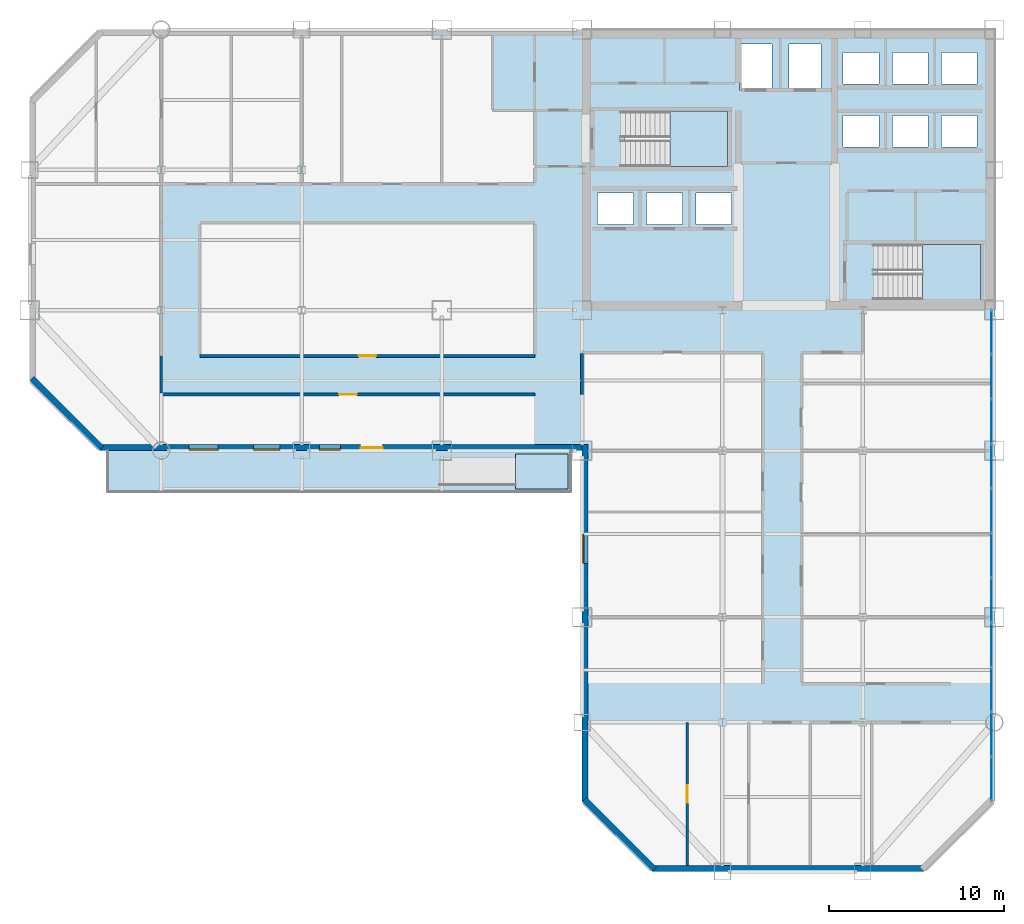
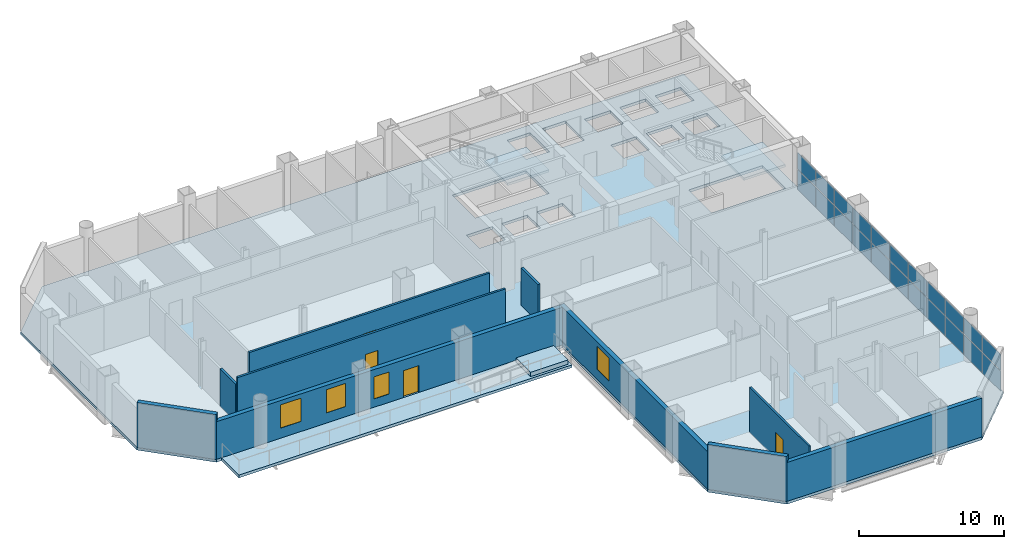
# One storey, part 11 of 16: 22 plates, 10 walls, 5 slabs, 4 doors, 4 windows, 8 openings, 4 elements without a shape of their own.
"""IFC4 building model written with IfcOpenShell, lengths in metres."""

import ifcopenshell
import ifcopenshell.guid

model = None  # the IFC model being written
_history = None  # IfcOwnerHistory: only IFC2X3 demands one
_inside = {}  # id of a spatial element -> (the spatial element, [elements in it])
_under = {}  # id of a project, library or spatial element -> (it, [spatial elements below it])
_declared = {}  # id of a project -> (the project, [libraries it declares])
_typed = {}  # id of a type object -> (the type object, [elements of that type])
_made_of = {}  # id of a material, layer set ... -> (it, [elements and type objects made of it])


def new_model(schema):
    """Start an empty IFC model of exactly this schema.

    Asked for "IFC4X3", IfcOpenShell would pick the latest addendum, in which some entities
    have other attributes; the version numbers below select the first issue.
    IFC2X3 requires an IfcOwnerHistory on every rooted entity: one is made here for all.
    """
    global model, _history
    if schema == "IFC4X3":
        model = ifcopenshell.file(schema_version=(4, 3, 0, 0))
    else:
        model = ifcopenshell.file(schema=schema)
    _inside.clear()
    _under.clear()
    _declared.clear()
    _typed.clear()
    _made_of.clear()
    _history = None
    if model.schema == "IFC2X3":
        org = make("IfcOrganization", Name="unknown")
        user = make(
            "IfcPersonAndOrganization",
            ThePerson=make("IfcPerson", FamilyName="unknown"),
            TheOrganization=org,
        )
        app = make(
            "IfcApplication",
            ApplicationDeveloper=org,
            Version="unknown",
            ApplicationFullName="unknown",
            ApplicationIdentifier="unknown",
        )
        _history = make(
            "IfcOwnerHistory",
            OwningUser=user,
            OwningApplication=app,
            ChangeAction="ADDED",
            CreationDate=0,
        )
    return model


def make(cls, **values):
    """One entity of the class cls with the attributes given. An attribute that is None is left unset."""
    return model.create_entity(
        cls, **{name: value for name, value in values.items() if value is not None}
    )


def rooted(cls, **values):
    """An entity with a GlobalId (a new one), such as an element, a storey or a relation."""
    return make(cls, GlobalId=ifcopenshell.guid.new(), OwnerHistory=_history, **values)


def si_unit(unit_type, name, prefix=None):
    """IfcSIUnit, for example si_unit("LENGTHUNIT", "METRE", prefix="MILLI")."""
    return make("IfcSIUnit", UnitType=unit_type, Prefix=prefix, Name=name)


def assignment(units):
    """IfcUnitAssignment: the units of a project."""
    return None if units is None else make("IfcUnitAssignment", Units=units)


def point(xyz):
    """IfcCartesianPoint."""
    return None if xyz is None else make("IfcCartesianPoint", Coordinates=xyz)


def direction(xyz):
    """IfcDirection."""
    return None if xyz is None else make("IfcDirection", DirectionRatios=xyz)


def frame(location, z_axis=None, x_axis=None):
    """IfcAxis2Placement3D, a coordinate frame: its origin and axes. An axis left out is left unset."""
    return make(
        "IfcAxis2Placement3D",
        Location=point(location),
        Axis=direction(z_axis),
        RefDirection=direction(x_axis),
    )


def frame_2d(location, x_axis=None):
    """IfcAxis2Placement2D, a coordinate frame in the plane: its origin and x axis."""
    return make(
        "IfcAxis2Placement2D", Location=point(location), RefDirection=direction(x_axis)
    )


def origin():
    """The frame at (0, 0, 0) with its axes left unset."""
    return frame((0.0, 0.0, 0.0))


def origin_2d():
    """The frame at (0, 0) in the plane with its x axis left unset."""
    return frame_2d((0.0, 0.0))


def place(relative_to, where):
    """IfcLocalPlacement: puts the frame where relative to a parent placement (None: the world)."""
    return make(
        "IfcLocalPlacement", PlacementRelTo=relative_to, RelativePlacement=where
    )


def context(
    kind, dimensions, precision=None, world=None, true_north=None, identifier=None
):
    """IfcGeometricRepresentationContext, for example the 3D "Model" context."""
    return make(
        "IfcGeometricRepresentationContext",
        ContextIdentifier=identifier,
        ContextType=kind,
        CoordinateSpaceDimension=dimensions,
        Precision=precision,
        WorldCoordinateSystem=world,
        TrueNorth=true_north,
    )


def subcontext(parent, identifier, kind, view, scale=None):
    """IfcGeometricRepresentationSubContext, for example "Body" below "Model"."""
    return make(
        "IfcGeometricRepresentationSubContext",
        ContextIdentifier=identifier,
        ContextType=kind,
        ParentContext=parent,
        TargetScale=scale,
        TargetView=view,
    )


def project(units=None, contexts=None):
    """IfcProject with its units and contexts."""
    return rooted(
        "IfcProject",
        Name="project",
        RepresentationContexts=contexts,
        UnitsInContext=assignment(units),
    )


def spatial(cls, under=None, at=None, **own):
    """A site, building, storey or space (cls), placed at a placement, below another one or the project."""
    s = rooted(cls, ObjectPlacement=at, **own)
    if under is not None:
        _under.setdefault(under.id(), (under, []))[1].append(s)
    return s


def polyline(points):
    """IfcPolyline through the points."""
    return make("IfcPolyline", Points=[point(p) for p in points])


def profile(cls, at=None, kind="AREA", **sizes):
    """A parametric profile (cls). Its sizes go by their IFC names, for example OverallWidth=200.0."""
    return make(cls, ProfileType=kind, Position=at, **sizes)


def rectangle(**sizes):
    """IfcRectangleProfileDef."""
    return profile("IfcRectangleProfileDef", **sizes)


def outline(outer, holes=None, kind="AREA"):
    """IfcArbitraryClosedProfileDef: a profile drawn as a closed curve; with holes, ...WithVoids."""
    if holes is None:
        return make("IfcArbitraryClosedProfileDef", ProfileType=kind, OuterCurve=outer)
    return make(
        "IfcArbitraryProfileDefWithVoids",
        ProfileType=kind,
        OuterCurve=outer,
        InnerCurves=holes,
    )


def extrude(swept, where, along, depth):
    """IfcExtrudedAreaSolid: the profile swept, set in the frame where, extruded along a direction by depth."""
    return make(
        "IfcExtrudedAreaSolid",
        SweptArea=swept,
        Position=where,
        ExtrudedDirection=direction(along),
        Depth=depth,
    )


def shape(context_of_items, identifier, shape_type, items):
    """IfcShapeRepresentation: the items that make up one representation, for example the "Body"."""
    return make(
        "IfcShapeRepresentation",
        ContextOfItems=context_of_items,
        RepresentationIdentifier=identifier,
        RepresentationType=shape_type,
        Items=items,
    )


def material(Name=None, Category=None):
    """IfcMaterial."""
    return make("IfcMaterial", Name=Name, Category=Category)


def layer(
    of_material, thickness, ventilated=None, Name=None, Category=None, Priority=None
):
    """IfcMaterialLayer: one layer of a wall or slab, of a material (None: an air gap)."""
    return make(
        "IfcMaterialLayer",
        Material=of_material,
        LayerThickness=thickness,
        IsVentilated=ventilated,
        Name=Name,
        Category=Category,
        Priority=Priority,
    )


def layer_set(layers, Name=None):
    """IfcMaterialLayerSet."""
    return make("IfcMaterialLayerSet", MaterialLayers=layers, LayerSetName=Name)


def made_of(thing, what):
    """Note that an element or type object is made of a material, layer set ...; save() writes the relation."""
    if what is not None:
        _made_of.setdefault(what.id(), (what, []))[1].append(thing)
    return thing


def type_object(cls, material=None, **own):
    """A type object (cls), such as IfcWallType, which elements share."""
    return made_of(rooted(cls, **own), material)


def element(
    cls,
    number,
    at=None,
    inside=None,
    cuts=None,
    type_object=None,
    material=None,
    context=None,
    identifier="Body",
    shape_type=None,
    held_by="IfcProductDefinitionShape",
    body=None,
    shapes=None,
    **own,
):
    """One element of the class cls, such as IfcWall. Its Tag is "e" and its number.

    at: its placement. inside: the storey or other place that contains it. cuts: it is an
    opening in that element (IfcRelVoidsElement). A single representation is given by context,
    identifier, shape_type and body (its items); several are given by shapes. held_by: the class
    of the entity that holds the representations. save() writes the other relations.
    """
    e = rooted(cls, Tag="e%d" % number, ObjectPlacement=at, **own)
    if body is not None:
        shapes = [shape(context, identifier, shape_type, body)]
    if shapes is not None:
        e.Representation = make(held_by, Representations=shapes)
    if inside is not None:
        _inside.setdefault(inside.id(), (inside, []))[1].append(e)
    if cuts is not None:
        rooted(
            "IfcRelVoidsElement", RelatingBuildingElement=cuts, RelatedOpeningElement=e
        )
    if type_object is not None:
        _typed.setdefault(type_object.id(), (type_object, []))[1].append(e)
    return made_of(e, material)


def fill(opening, filler):
    """IfcRelFillsElement: the door or window that sits in an opening."""
    return rooted(
        "IfcRelFillsElement",
        RelatingOpeningElement=opening,
        RelatedBuildingElement=filler,
    )


def aggregate(whole, parts):
    """IfcRelAggregates: a whole, such as a stair, and the parts it consists of."""
    return rooted("IfcRelAggregates", RelatingObject=whole, RelatedObjects=parts)


def save(model, path):
    """Write the relations noted so far, then the file.

    IfcRelAggregates (storeys below a building ...), IfcRelContainedInSpatialStructure (elements
    in a storey), IfcRelDefinesByType, IfcRelAssociatesMaterial and IfcRelDeclares: one each for
    every whole, place, type object, material and project.
    """
    for whole, parts in _under.values():
        aggregate(whole, parts)
    for where, things in _inside.values():
        rooted(
            "IfcRelContainedInSpatialStructure",
            RelatedElements=things,
            RelatingStructure=where,
        )
    for kind, things in _typed.values():
        rooted("IfcRelDefinesByType", RelatedObjects=things, RelatingType=kind)
    for what, things in _made_of.values():
        rooted("IfcRelAssociatesMaterial", RelatedObjects=things, RelatingMaterial=what)
    for by, libraries in _declared.values():
        rooted("IfcRelDeclares", RelatingContext=by, RelatedDefinitions=libraries)
    model.write(path)


model = new_model("IFC4")

# Units and contexts
model_context = context("Model", 3, precision=1e-05, world=origin(), true_north=direction((0.0, 1.0)))
body_context = subcontext(model_context, "Body", "Model", "MODEL_VIEW")
ifc_project = project(units=[si_unit("LENGTHUNIT", "METRE"), si_unit("AREAUNIT", "SQUARE_METRE"), si_unit("VOLUMEUNIT", "CUBIC_METRE"), si_unit("PLANEANGLEUNIT", "RADIAN"), si_unit("MASSUNIT", "GRAM", prefix="KILO")], contexts=[model_context])

# Site, building, storey
site_placement = place(None, origin())
site = spatial("IfcSite", under=ifc_project, at=site_placement, CompositionType="ELEMENT")
building_placement = place(site_placement, origin())
building = spatial("IfcBuilding", under=site, at=building_placement, Name="Qianrong Seaharbour Tower", CompositionType="ELEMENT")
storey_placement = place(building_placement, frame((0.0, 0.0, 119.0)))
storey = spatial("IfcBuildingStorey", under=building, at=storey_placement, Name="L28", CompositionType="ELEMENT", Elevation=119.0)

# Curtain wall, plates
ifc_material_1 = material(Name="Anodised aluminium 6063-T6 and laminated low-e glass", Category="aluminium")
ifc_layer_1 = layer(ifc_material_1, 0.195068359375)
ifc_layer_set_1 = layer_set([ifc_layer_1], Name="Anodised aluminium 6063-T6 and laminated low-e glass")
curtain_wall_type = type_object("IfcCurtainWallType", Name="CW-SYS-3", PredefinedType="NOTDEFINED", material=ifc_layer_set_1)
curtain_wall_placement = place(storey_placement, origin())
curtain_wall = element("IfcCurtainWall", 1, at=curtain_wall_placement, inside=storey, type_object=curtain_wall_type, Name="L28 Sky-Garden Wintergarden Curtain Wall EAST_WING", PredefinedType="NOTDEFINED")
ifc_material_2 = material(Name="Laminated solar-control low-e glass", Category="glass")
ifc_layer_2 = layer(ifc_material_2, 0.031982421875)
ifc_layer_set_2 = layer_set([ifc_layer_2], Name="Laminated solar-control low-e glass")
plate_type = type_object("IfcPlateType", Name="CW-PAN-VISION-32", PredefinedType="CURTAIN_PANEL", material=ifc_layer_set_2)
plate_1_placement = place(storey_placement, frame((63.830078125, 34.757568359375, 0.06494140625), z_axis=(0.0, 0.0, 1.0), x_axis=(0.0, -1.0, 0.0)))
plate_1 = element("IfcPlate", 2, at=plate_1_placement, type_object=plate_type, Name="CW-3 panel 1.1", PredefinedType="CURTAIN_PANEL", context=body_context, shape_type="SweptSolid", body=[
    extrude(rectangle(XDim=2.445068359375, YDim=0.031982421875, at=origin_2d()), origin(), (0.0, 0.0, 1.0), 1.67626953125),
])
plate_2_placement = place(storey_placement, frame((63.830078125, 34.757568359375, 1.80615234375), z_axis=(0.0, 0.0, 1.0), x_axis=(0.0, -1.0, 0.0)))
plate_2 = element("IfcPlate", 3, at=plate_2_placement, type_object=plate_type, Name="CW-3 panel 1.2", PredefinedType="CURTAIN_PANEL", context=body_context, shape_type="SweptSolid", body=[
    extrude(rectangle(XDim=2.445068359375, YDim=0.031982421875, at=origin_2d()), origin(), (0.0, 0.0, 1.0), 1.353759765625),
])
plate_3_placement = place(storey_placement, frame((63.830078125, 32.22509765625, 0.06494140625), z_axis=(0.0, 0.0, 1.0), x_axis=(0.0, -1.0, 0.0)))
plate_3 = element("IfcPlate", 4, at=plate_3_placement, type_object=plate_type, Name="CW-3 panel 2.1", PredefinedType="CURTAIN_PANEL", context=body_context, shape_type="SweptSolid", body=[
    extrude(rectangle(XDim=2.47998046875, YDim=0.031982421875, at=origin_2d()), origin(), (0.0, 0.0, 1.0), 1.67626953125),
])
plate_4_placement = place(storey_placement, frame((63.830078125, 32.22509765625, 1.80615234375), z_axis=(0.0, 0.0, 1.0), x_axis=(0.0, -1.0, 0.0)))
plate_4 = element("IfcPlate", 5, at=plate_4_placement, type_object=plate_type, Name="CW-3 panel 2.2", PredefinedType="CURTAIN_PANEL", context=body_context, shape_type="SweptSolid", body=[
    extrude(rectangle(XDim=2.47998046875, YDim=0.031982421875, at=origin_2d()), origin(), (0.0, 0.0, 1.0), 1.353759765625),
])
plate_5_placement = place(storey_placement, frame((63.830078125, 29.675048828125, 0.06494140625), z_axis=(0.0, 0.0, 1.0), x_axis=(0.0, -1.0, 0.0)))
plate_5 = element("IfcPlate", 6, at=plate_5_placement, type_object=plate_type, Name="CW-3 panel 3.1", PredefinedType="CURTAIN_PANEL", context=body_context, shape_type="SweptSolid", body=[
    extrude(rectangle(XDim=2.47998046875, YDim=0.031982421875, at=origin_2d()), origin(), (0.0, 0.0, 1.0), 1.67626953125),
])
plate_6_placement = place(storey_placement, frame((63.830078125, 29.675048828125, 1.80615234375), z_axis=(0.0, 0.0, 1.0), x_axis=(0.0, -1.0, 0.0)))
plate_6 = element("IfcPlate", 7, at=plate_6_placement, type_object=plate_type, Name="CW-3 panel 3.2", PredefinedType="CURTAIN_PANEL", context=body_context, shape_type="SweptSolid", body=[
    extrude(rectangle(XDim=2.47998046875, YDim=0.031982421875, at=origin_2d()), origin(), (0.0, 0.0, 1.0), 1.353759765625),
])
plate_7_placement = place(storey_placement, frame((63.830078125, 27.125, 0.06494140625), z_axis=(0.0, 0.0, 1.0), x_axis=(0.0, -1.0, 0.0)))
plate_7 = element("IfcPlate", 8, at=plate_7_placement, type_object=plate_type, Name="CW-3 panel 4.1", PredefinedType="CURTAIN_PANEL", context=body_context, shape_type="SweptSolid", body=[
    extrude(rectangle(XDim=2.47998046875, YDim=0.031982421875, at=origin_2d()), origin(), (0.0, 0.0, 1.0), 1.67626953125),
])
plate_8_placement = place(storey_placement, frame((63.830078125, 27.125, 1.80615234375), z_axis=(0.0, 0.0, 1.0), x_axis=(0.0, -1.0, 0.0)))
plate_8 = element("IfcPlate", 9, at=plate_8_placement, type_object=plate_type, Name="CW-3 panel 4.2", PredefinedType="CURTAIN_PANEL", context=body_context, shape_type="SweptSolid", body=[
    extrude(rectangle(XDim=2.47998046875, YDim=0.031982421875, at=origin_2d()), origin(), (0.0, 0.0, 1.0), 1.353759765625),
])
plate_9_placement = place(storey_placement, frame((63.830078125, 24.574951171875, 0.06494140625), z_axis=(0.0, 0.0, 1.0), x_axis=(0.0, -1.0, 0.0)))
plate_9 = element("IfcPlate", 10, at=plate_9_placement, type_object=plate_type, Name="CW-3 panel 5.1", PredefinedType="CURTAIN_PANEL", context=body_context, shape_type="SweptSolid", body=[
    extrude(rectangle(XDim=2.47998046875, YDim=0.031982421875, at=origin_2d()), origin(), (0.0, 0.0, 1.0), 1.67626953125),
])
plate_10_placement = place(storey_placement, frame((63.830078125, 24.574951171875, 1.80615234375), z_axis=(0.0, 0.0, 1.0), x_axis=(0.0, -1.0, 0.0)))
plate_10 = element("IfcPlate", 11, at=plate_10_placement, type_object=plate_type, Name="CW-3 panel 5.2", PredefinedType="CURTAIN_PANEL", context=body_context, shape_type="SweptSolid", body=[
    extrude(rectangle(XDim=2.47998046875, YDim=0.031982421875, at=origin_2d()), origin(), (0.0, 0.0, 1.0), 1.353759765625),
])
plate_11_placement = place(storey_placement, frame((63.830078125, 22.02490234375, 0.06494140625), z_axis=(0.0, 0.0, 1.0), x_axis=(0.0, -1.0, 0.0)))
plate_11 = element("IfcPlate", 12, at=plate_11_placement, type_object=plate_type, Name="CW-3 panel 6.1", PredefinedType="CURTAIN_PANEL", context=body_context, shape_type="SweptSolid", body=[
    extrude(rectangle(XDim=2.47998046875, YDim=0.031982421875, at=origin_2d()), origin(), (0.0, 0.0, 1.0), 1.67626953125),
])
plate_12_placement = place(storey_placement, frame((63.830078125, 22.02490234375, 1.80615234375), z_axis=(0.0, 0.0, 1.0), x_axis=(0.0, -1.0, 0.0)))
plate_12 = element("IfcPlate", 13, at=plate_12_placement, type_object=plate_type, Name="CW-3 panel 6.2", PredefinedType="CURTAIN_PANEL", context=body_context, shape_type="SweptSolid", body=[
    extrude(rectangle(XDim=2.47998046875, YDim=0.031982421875, at=origin_2d()), origin(), (0.0, 0.0, 1.0), 1.353759765625),
])
plate_13_placement = place(storey_placement, frame((63.830078125, 19.47509765625, 0.06494140625), z_axis=(0.0, 0.0, 1.0), x_axis=(0.0, -1.0, 0.0)))
plate_13 = element("IfcPlate", 14, at=plate_13_placement, type_object=plate_type, Name="CW-3 panel 7.1", PredefinedType="CURTAIN_PANEL", context=body_context, shape_type="SweptSolid", body=[
    extrude(rectangle(XDim=2.47998046875, YDim=0.031982421875, at=origin_2d()), origin(), (0.0, 0.0, 1.0), 1.67626953125),
])
plate_14_placement = place(storey_placement, frame((63.830078125, 19.47509765625, 1.80615234375), z_axis=(0.0, 0.0, 1.0), x_axis=(0.0, -1.0, 0.0)))
plate_14 = element("IfcPlate", 15, at=plate_14_placement, type_object=plate_type, Name="CW-3 panel 7.2", PredefinedType="CURTAIN_PANEL", context=body_context, shape_type="SweptSolid", body=[
    extrude(rectangle(XDim=2.47998046875, YDim=0.031982421875, at=origin_2d()), origin(), (0.0, 0.0, 1.0), 1.353759765625),
])
plate_15_placement = place(storey_placement, frame((63.830078125, 16.925048828125, 0.06494140625), z_axis=(0.0, 0.0, 1.0), x_axis=(0.0, -1.0, 0.0)))
plate_15 = element("IfcPlate", 16, at=plate_15_placement, type_object=plate_type, Name="CW-3 panel 8.1", PredefinedType="CURTAIN_PANEL", context=body_context, shape_type="SweptSolid", body=[
    extrude(rectangle(XDim=2.47998046875, YDim=0.031982421875, at=origin_2d()), origin(), (0.0, 0.0, 1.0), 1.67626953125),
])
plate_16_placement = place(storey_placement, frame((63.830078125, 16.925048828125, 1.80615234375), z_axis=(0.0, 0.0, 1.0), x_axis=(0.0, -1.0, 0.0)))
plate_16 = element("IfcPlate", 17, at=plate_16_placement, type_object=plate_type, Name="CW-3 panel 8.2", PredefinedType="CURTAIN_PANEL", context=body_context, shape_type="SweptSolid", body=[
    extrude(rectangle(XDim=2.47998046875, YDim=0.031982421875, at=origin_2d()), origin(), (0.0, 0.0, 1.0), 1.353759765625),
])
plate_17_placement = place(storey_placement, frame((63.830078125, 14.375, 0.06494140625), z_axis=(0.0, 0.0, 1.0), x_axis=(0.0, -1.0, 0.0)))
plate_17 = element("IfcPlate", 18, at=plate_17_placement, type_object=plate_type, Name="CW-3 panel 9.1", PredefinedType="CURTAIN_PANEL", context=body_context, shape_type="SweptSolid", body=[
    extrude(rectangle(XDim=2.47998046875, YDim=0.031982421875, at=origin_2d()), origin(), (0.0, 0.0, 1.0), 1.67626953125),
])
plate_18_placement = place(storey_placement, frame((63.830078125, 14.375, 1.80615234375), z_axis=(0.0, 0.0, 1.0), x_axis=(0.0, -1.0, 0.0)))
plate_18 = element("IfcPlate", 19, at=plate_18_placement, type_object=plate_type, Name="CW-3 panel 9.2", PredefinedType="CURTAIN_PANEL", context=body_context, shape_type="SweptSolid", body=[
    extrude(rectangle(XDim=2.47998046875, YDim=0.031982421875, at=origin_2d()), origin(), (0.0, 0.0, 1.0), 1.353759765625),
])
plate_19_placement = place(storey_placement, frame((63.830078125, 11.824951171875, 0.06494140625), z_axis=(0.0, 0.0, 1.0), x_axis=(0.0, -1.0, 0.0)))
plate_19 = element("IfcPlate", 20, at=plate_19_placement, type_object=plate_type, Name="CW-3 panel 10.1", PredefinedType="CURTAIN_PANEL", context=body_context, shape_type="SweptSolid", body=[
    extrude(rectangle(XDim=2.47998046875, YDim=0.031982421875, at=origin_2d()), origin(), (0.0, 0.0, 1.0), 1.67626953125),
])
plate_20_placement = place(storey_placement, frame((63.830078125, 11.824951171875, 1.80615234375), z_axis=(0.0, 0.0, 1.0), x_axis=(0.0, -1.0, 0.0)))
plate_20 = element("IfcPlate", 21, at=plate_20_placement, type_object=plate_type, Name="CW-3 panel 10.2", PredefinedType="CURTAIN_PANEL", context=body_context, shape_type="SweptSolid", body=[
    extrude(rectangle(XDim=2.47998046875, YDim=0.031982421875, at=origin_2d()), origin(), (0.0, 0.0, 1.0), 1.353759765625),
])
plate_21_placement = place(storey_placement, frame((63.830078125, 9.29248046875, 0.06494140625), z_axis=(0.0, 0.0, 1.0), x_axis=(0.0, -1.0, 0.0)))
plate_21 = element("IfcPlate", 22, at=plate_21_placement, type_object=plate_type, Name="CW-3 panel 11.1", PredefinedType="CURTAIN_PANEL", context=body_context, shape_type="SweptSolid", body=[
    extrude(rectangle(XDim=2.445068359375, YDim=0.031982421875, at=origin_2d()), origin(), (0.0, 0.0, 1.0), 1.67626953125),
])
plate_22_placement = place(storey_placement, frame((63.830078125, 9.29248046875, 1.80615234375), z_axis=(0.0, 0.0, 1.0), x_axis=(0.0, -1.0, 0.0)))
plate_22 = element("IfcPlate", 23, at=plate_22_placement, type_object=plate_type, Name="CW-3 panel 11.2", PredefinedType="CURTAIN_PANEL", context=body_context, shape_type="SweptSolid", body=[
    extrude(rectangle(XDim=2.445068359375, YDim=0.031982421875, at=origin_2d()), origin(), (0.0, 0.0, 1.0), 1.353759765625),
])
aggregate(curtain_wall, [plate_1, plate_2, plate_3, plate_4, plate_5, plate_6, plate_7, plate_8, plate_9, plate_10, plate_11, plate_12, plate_13, plate_14, plate_15, plate_16, plate_17, plate_18, plate_19, plate_20, plate_21, plate_22])

# Ramp, slab
ifc_material_3 = material(Name="White architectural precast concrete C45/55", Category="concrete")
ramp_type = type_object("IfcRampType", Name="RAMP-RIBBON-GARDEN", PredefinedType="STRAIGHT_RUN_RAMP", material=ifc_material_3)
ramp_placement = place(storey_placement, origin())
ramp = element("IfcRamp", 24, at=ramp_placement, inside=storey, type_object=ramp_type, Name="L28 Harbourfront Garden Ribbon Ramp", PredefinedType="STRAIGHT_RUN_RAMP")
ifc_layer_3 = layer(ifc_material_3, 0.360107421875)
ifc_layer_set_3 = layer_set([ifc_layer_3], Name="White architectural precast concrete C45/55")
slab_type_1 = type_object("IfcSlabType", Name="SLAB-RAMP-LANDING-220", PredefinedType="LANDING", material=ifc_layer_set_3)
slab_1_placement = place(storey_placement, origin())
slab_1 = element("IfcSlab", 25, at=slab_1_placement, type_object=slab_type_1, Name="L28 Harbourfront Ribbon Raised Garden Landing", PredefinedType="LANDING", context=body_context, shape_type="SweptSolid", body=[
    extrude(outline(polyline([(36.699951171875, 25.800048828125), (39.699951171875, 25.800048828125), (39.699951171875, 27.800048828125), (36.699951171875, 27.800048828125), (36.699951171875, 25.800048828125)])), origin(), (0.0, 0.0, 1.0), 0.360107421875),
])
aggregate(ramp, [slab_1])

# Slab
ifc_layer_4 = layer(ifc_material_3, 0.235107421875)
ifc_layer_set_4 = layer_set([ifc_layer_4], Name="White architectural precast concrete C45/55")
slab_type_2 = type_object("IfcSlabType", Name="SLAB-RIBBON-235", PredefinedType="FLOOR", material=ifc_layer_set_4)
slab_2_placement = place(storey_placement, frame((0.0, 0.0, -0.235107421875)))
element("IfcSlab", 26, at=slab_2_placement, inside=storey, type_object=slab_type_2, Name="L28 Harbourfront White Precast Ribbon Gallery Slab", PredefinedType="FLOOR", context=body_context, shape_type="SweptSolid", body=[
    extrude(outline(polyline([(13.39990234375, 25.60009765625), (39.89990234375, 25.60009765625), (39.89990234375, 28.0), (13.39990234375, 28.0), (13.39990234375, 25.60009765625)])), origin(), (0.0, 0.0, 1.0), 0.235107421875),
])

# Stair, slab
ifc_material_4 = material(Name="Concrete C50/60", Category="concrete")
stair_type = type_object("IfcStairType", Name="STAIR-DOGLEG-1500-R22", PredefinedType="HALF_TURN_STAIR", material=ifc_material_4)
stair_1_placement = place(storey_placement, origin())
stair_1 = element("IfcStair", 27, at=stair_1_placement, inside=storey, type_object=stair_type, Name="L28 Protected Escape Stair ST-1", PredefinedType="HALF_TURN_STAIR")
ifc_layer_5 = layer(ifc_material_4, 0.199951171875)
ifc_layer_set_5 = layer_set([ifc_layer_5], Name="Concrete C50/60")
slab_type_3 = type_object("IfcSlabType", Name="SLAB-STAIR-LANDING-200", PredefinedType="LANDING", material=ifc_layer_set_5)
slab_3_placement = place(storey_placement, frame((0.0, 0.0, 1.800048828125)))
slab_3 = element("IfcSlab", 28, at=slab_3_placement, type_object=slab_type_3, Name="ST-1 landing 1", PredefinedType="LANDING", context=body_context, shape_type="SweptSolid", body=[
    extrude(outline(polyline([(45.5, 44.199951171875), (48.800048828125, 44.199951171875), (48.800048828125, 47.35009765625), (45.5, 47.35009765625), (45.5, 44.199951171875)])), origin(), (0.0, 0.0, 1.0), 0.199951171875),
])
aggregate(stair_1, [slab_3])

stair_2_placement = place(storey_placement, origin())
stair_2 = element("IfcStair", 29, at=stair_2_placement, inside=storey, type_object=stair_type, Name="L28 Protected Escape Stair ST-2", PredefinedType="HALF_TURN_STAIR")
slab_4_placement = place(storey_placement, frame((0.0, 0.0, 1.800048828125)))
slab_4 = element("IfcSlab", 30, at=slab_4_placement, type_object=slab_type_3, Name="ST-2 landing 1", PredefinedType="LANDING", context=body_context, shape_type="SweptSolid", body=[
    extrude(outline(polyline([(59.89990234375, 36.60009765625), (63.199951171875, 36.60009765625), (63.199951171875, 39.75), (59.89990234375, 39.75), (59.89990234375, 36.60009765625)])), origin(), (0.0, 0.0, 1.0), 0.199951171875),
])
aggregate(stair_2, [slab_4])

# Slab
ifc_layer_6 = layer(ifc_material_4, 0.235107421875)
ifc_layer_set_6 = layer_set([ifc_layer_6], Name="Concrete C50/60")
slab_type_4 = type_object("IfcSlabType", Name="SLAB-Z2-235", PredefinedType="FLOOR", material=ifc_layer_set_6)
slab_5_placement = place(storey_placement, frame((0.0, 0.0, -0.235107421875)))
element("IfcSlab", 31, at=slab_5_placement, inside=storey, type_object=slab_type_4, Name="L28 Structural Floor Slab", PredefinedType="FLOOR", context=body_context, shape_type="SweptSolid", body=[
    extrude(outline(polyline([(44.5, 4.0), (60.0, 4.0), (64.0, 8.0), (64.0, 52.0), (13.0, 52.0), (9.0, 48.0), (9.0, 32.0), (13.0, 28.0), (40.5, 28.0), (40.5, 8.0), (44.5, 4.0)]), holes=[polyline([(42.93994140625, 44.199951171875), (42.93994140625, 47.35009765625), (48.800048828125, 47.35009765625), (48.800048828125, 44.199951171875), (42.93994140625, 44.199951171875)]), polyline([(57.340087890625, 36.60009765625), (57.340087890625, 39.75), (63.199951171875, 39.75), (63.199951171875, 36.60009765625), (57.340087890625, 36.60009765625)]), polyline([(49.47998046875, 48.530029296875), (49.47998046875, 51.169921875), (51.320068359375, 51.169921875), (51.320068359375, 48.530029296875), (49.47998046875, 48.530029296875)]), polyline([(52.280029296875, 48.530029296875), (52.280029296875, 51.169921875), (54.1201171875, 51.169921875), (54.1201171875, 48.530029296875), (52.280029296875, 48.530029296875)]), polyline([(41.3798828125, 40.89990234375), (41.3798828125, 42.699951171875), (43.419921875, 42.699951171875), (43.419921875, 40.89990234375), (41.3798828125, 40.89990234375)]), polyline([(44.179931640625, 40.89990234375), (44.179931640625, 42.699951171875), (46.219970703125, 42.699951171875), (46.219970703125, 40.89990234375), (44.179931640625, 40.89990234375)]), polyline([(46.97998046875, 40.89990234375), (46.97998046875, 42.699951171875), (49.02001953125, 42.699951171875), (49.02001953125, 40.89990234375), (46.97998046875, 40.89990234375)]), polyline([(55.3798828125, 45.300048828125), (55.3798828125, 47.10009765625), (57.419921875, 47.10009765625), (57.419921875, 45.300048828125), (55.3798828125, 45.300048828125)]), polyline([(58.179931640625, 45.300048828125), (58.179931640625, 47.10009765625), (60.219970703125, 47.10009765625), (60.219970703125, 45.300048828125), (58.179931640625, 45.300048828125)]), polyline([(60.97998046875, 45.300048828125), (60.97998046875, 47.10009765625), (63.02001953125, 47.10009765625), (63.02001953125, 45.300048828125), (60.97998046875, 45.300048828125)]), polyline([(55.3798828125, 48.89990234375), (55.3798828125, 50.699951171875), (57.419921875, 50.699951171875), (57.419921875, 48.89990234375), (55.3798828125, 48.89990234375)]), polyline([(58.179931640625, 48.89990234375), (58.179931640625, 50.699951171875), (60.219970703125, 50.699951171875), (60.219970703125, 48.89990234375), (58.179931640625, 48.89990234375)]), polyline([(60.97998046875, 48.89990234375), (60.97998046875, 50.699951171875), (63.02001953125, 50.699951171875), (63.02001953125, 48.89990234375), (60.97998046875, 48.89990234375)])]), origin(), (0.0, 0.0, 1.0), 0.235107421875),
])

# Wall, opening, door
ifc_material_5 = material(Name="Fire-rated acoustic gypsum board partition")
ifc_layer_7 = layer(ifc_material_5, 0.1650390625)
ifc_layer_set_7 = layer_set([ifc_layer_7], Name="Fire-rated acoustic gypsum board partition")
wall_type_1 = type_object("IfcWallType", Name="WALL-CORR-PART-165", PredefinedType="PARTITIONING", material=ifc_layer_set_7)
wall_1_placement = place(storey_placement, frame((37.800048828125, 31.199951171875, 0.0), z_axis=(0.0, 0.0, 1.0), x_axis=(-1.0, 0.0, 0.0)))
wall_1 = element("IfcWall", 32, at=wall_1_placement, inside=storey, type_object=wall_type_1, Name="L28 Interior Partition Wall 015", PredefinedType="PARTITIONING", context=body_context, shape_type="SweptSolid", body=[
    extrude(rectangle(XDim=21.300048828125, YDim=0.1650390625, at=frame_2d((10.64990234375, 0.0))), origin(), (0.0, 0.0, 1.0), 3.764892578125),
])
opening_1_placement = place(wall_1_placement, frame((10.14990234375, 0.0, 0.0)))
opening_1 = element("IfcOpeningElement", 33, at=opening_1_placement, cuts=wall_1, Name="Opening DO-01", PredefinedType="OPENING", context=body_context, shape_type="SweptSolid", body=[
    extrude(rectangle(XDim=1.0, YDim=2.14990234375, at=frame_2d((0.5, 1.074951171875))), frame((0.0, 0.092529296875, 0.0), z_axis=(0.0, -1.0, 0.0), x_axis=(1.0, 0.0, 0.0)), (0.0, 0.0, 1.0), 0.18505859375),
])
ifc_material_6 = material(Name="Acoustic timber and galvanized steel fire door assembly", Category="steel")
door_type_1 = type_object("IfcDoorType", Name="DOOR-OFFICE-1000x2150", OperationType="NOTDEFINED", PredefinedType="DOOR", material=ifc_material_6)
door_1_placement = place(opening_1_placement, origin())
door_1 = element("IfcDoor", 34, at=door_1_placement, inside=storey, type_object=door_type_1, Name="L28 Open-Plan Office Door", OperationType="SINGLE_SWING_LEFT", OverallHeight=2.14990234375, OverallWidth=1.0, PredefinedType="DOOR", context=body_context, shape_type="SweptSolid", body=[
    extrude(rectangle(XDim=1.0, YDim=2.14990234375, at=frame_2d((0.5, 1.074951171875))), frame((0.0, 0.02490234375, 0.0), z_axis=(0.0, -1.0, 0.0), x_axis=(1.0, 0.0, 0.0)), (0.0, 0.0, 1.0), 0.050048828125),
])
fill(opening_1, door_1)

# Wall
wall_2_placement = place(storey_placement, frame((16.5, 31.2744140625, 0.0), z_axis=(0.0, 0.0, 1.0), x_axis=(0.0, 1.0, 0.0)))
element("IfcWall", 35, at=wall_2_placement, inside=storey, type_object=wall_type_1, Name="L28 Interior Partition Wall 016", PredefinedType="PARTITIONING", context=body_context, shape_type="SweptSolid", body=[
    extrude(rectangle(XDim=2.12548828125, YDim=0.1650390625, at=frame_2d((1.062744140625, 0.0))), origin(), (0.0, 0.0, 1.0), 3.156982421875),
])

# Wall, opening, door
wall_3_placement = place(storey_placement, frame((18.699951171875, 33.39990234375, 0.0), z_axis=(0.0, 0.0, 1.0), x_axis=(1.0, 0.0, 0.0)))
wall_3 = element("IfcWall", 36, at=wall_3_placement, inside=storey, type_object=wall_type_1, Name="L28 Interior Partition Wall 017", PredefinedType="PARTITIONING", context=body_context, shape_type="SweptSolid", body=[
    extrude(rectangle(XDim=19.10009765625, YDim=0.1650390625, at=frame_2d((9.550048828125, 0.0))), origin(), (0.0, 0.0, 1.0), 3.764892578125),
])
opening_2_placement = place(wall_3_placement, frame((9.050048828125, 0.0, 0.0)))
opening_2 = element("IfcOpeningElement", 37, at=opening_2_placement, cuts=wall_3, Name="Opening DO-01", PredefinedType="OPENING", context=body_context, shape_type="SweptSolid", body=[
    extrude(rectangle(XDim=1.0, YDim=2.14990234375, at=frame_2d((0.5, 1.074951171875))), frame((0.0, 0.092529296875, 0.0), z_axis=(0.0, -1.0, 0.0), x_axis=(1.0, 0.0, 0.0)), (0.0, 0.0, 1.0), 0.18505859375),
])
door_2_placement = place(opening_2_placement, origin())
door_2 = element("IfcDoor", 38, at=door_2_placement, inside=storey, type_object=door_type_1, Name="L28 West Wing Open-Plan Office Door", OperationType="SINGLE_SWING_RIGHT", OverallHeight=2.14990234375, OverallWidth=1.0, PredefinedType="DOOR", context=body_context, shape_type="SweptSolid", body=[
    extrude(rectangle(XDim=1.0, YDim=2.14990234375, at=frame_2d((0.5, 1.074951171875))), frame((0.0, 0.02490234375, 0.0), z_axis=(0.0, -1.0, 0.0), x_axis=(1.0, 0.0, 0.0)), (0.0, 0.0, 1.0), 0.050048828125),
])
fill(opening_2, door_2)

# Wall
wall_4_placement = place(storey_placement, frame((40.5, 33.525390625, 0.0), z_axis=(0.0, 0.0, 1.0), x_axis=(0.0, -1.0, 0.0)))
element("IfcWall", 39, at=wall_4_placement, inside=storey, type_object=wall_type_1, Name="L28 Interior Partition Wall 029", PredefinedType="PARTITIONING", context=body_context, shape_type="SweptSolid", body=[
    extrude(rectangle(XDim=2.325439453125, YDim=0.1650390625, at=frame_2d((1.16259765625, 0.0))), origin(), (0.0, 0.0, 1.0), 3.156982421875),
])

# Wall, opening, window
ifc_material_7 = material(Name="Unitised buff brick on Precast concrete C45/55", Category="masonry")
ifc_layer_8 = layer(ifc_material_7, 0.340087890625)
ifc_layer_set_8 = layer_set([ifc_layer_8], Name="Unitised buff brick on Precast concrete C45/55")
wall_type_2 = type_object("IfcWallType", Name="WALL-EXT-BRICK-BUFF-340", PredefinedType="SOLIDWALL", material=ifc_layer_set_8)
wall_5_placement = place(storey_placement, frame((40.669921875, 8.0, 0.0), z_axis=(0.0, 0.0, 1.0), x_axis=(0.0, 1.0, 0.0)))
wall_5 = element("IfcWall", 40, at=wall_5_placement, inside=storey, type_object=wall_type_2, Name="L28 Exterior Masonry Facade Wall REENTRANT_WEST", PredefinedType="SOLIDWALL", context=body_context, shape_type="SweptSolid", body=[
    extrude(rectangle(XDim=20.340087890625, YDim=0.340087890625, at=frame_2d((10.169921875, 0.0))), origin(), (0.0, 0.0, 1.0), 3.1650390625),
])
opening_3_placement = place(wall_5_placement, frame((13.574951171875, 0.0, 0.85009765625)))
opening_3 = element("IfcOpeningElement", 41, at=opening_3_placement, cuts=wall_5, Name="Opening WN-04", PredefinedType="OPENING", context=body_context, shape_type="SweptSolid", body=[
    extrude(rectangle(XDim=1.64990234375, YDim=1.949951171875, at=frame_2d((0.824951171875, 0.97509765625))), frame((0.0, 0.18017578125, 0.0), z_axis=(0.0, -1.0, 0.0), x_axis=(1.0, 0.0, 0.0)), (0.0, 0.0, 1.0), 0.360107421875),
])
ifc_material_8 = material(Name="Insulated low-e double glazing in thermally broken aluminium 6063-T6 frame", Category="aluminium")
window_type_1 = type_object("IfcWindowType", Name="WIN-PUNCH-1650x1950", PartitioningType="DOUBLE_PANEL_VERTICAL", PredefinedType="WINDOW", material=ifc_material_8)
window_1_placement = place(opening_3_placement, origin())
window_1 = element("IfcWindow", 42, at=window_1_placement, inside=storey, type_object=window_type_1, Name="L28 Deep-Set Punched Window 00.04", OverallHeight=1.949951171875, OverallWidth=1.64990234375, PartitioningType="DOUBLE_PANEL_VERTICAL", PredefinedType="WINDOW", context=body_context, shape_type="SweptSolid", body=[
    extrude(rectangle(XDim=1.64990234375, YDim=1.949951171875, at=frame_2d((0.824951171875, 0.97509765625))), frame((0.0, 0.150146484375, 0.0), z_axis=(0.0, -1.0, 0.0), x_axis=(1.0, 0.0, 0.0)), (0.0, 0.0, 1.0), 0.06005859375),
])
fill(opening_3, window_1)

# Wall, openings, door, windows
wall_6_placement = place(storey_placement, frame((40.52001953125, 28.169921875, 0.0), z_axis=(0.0, 0.0, 1.0), x_axis=(-1.0, 0.0, 0.0)))
wall_6 = element("IfcWall", 43, at=wall_6_placement, inside=storey, type_object=wall_type_2, Name="L28 Exterior Masonry Facade Wall HARBOUR_RIBBON", PredefinedType="SOLIDWALL", context=body_context, shape_type="SweptSolid", body=[
    extrude(rectangle(XDim=27.52001953125, YDim=0.340087890625, at=frame_2d((13.760009765625, 0.0))), origin(), (0.0, 0.0, 1.0), 3.1650390625),
])
opening_4_placement = place(wall_6_placement, frame((13.800048828125, 0.0, 0.699951171875)))
opening_4 = element("IfcOpeningElement", 44, at=opening_4_placement, cuts=wall_6, Name="Opening WN-01", PredefinedType="OPENING", context=body_context, shape_type="SweptSolid", body=[
    extrude(rectangle(XDim=1.199951171875, YDim=1.85009765625, at=frame_2d((0.60009765625, 0.925048828125))), frame((0.0, 0.18017578125, 0.0), z_axis=(0.0, -1.0, 0.0), x_axis=(1.0, 0.0, 0.0)), (0.0, 0.0, 1.0), 0.360107421875),
])
opening_5_placement = place(wall_6_placement, frame((17.25, 0.0, 0.85009765625)))
opening_5 = element("IfcOpeningElement", 45, at=opening_5_placement, cuts=wall_6, Name="Opening WN-03", PredefinedType="OPENING", context=body_context, shape_type="SweptSolid", body=[
    extrude(rectangle(XDim=1.5, YDim=1.949951171875, at=frame_2d((0.75, 0.97509765625))), frame((0.0, 0.18017578125, 0.0), z_axis=(0.0, -1.0, 0.0), x_axis=(1.0, 0.0, 0.0)), (0.0, 0.0, 1.0), 0.360107421875),
])
opening_6_placement = place(wall_6_placement, frame((20.77490234375, 0.0, 0.85009765625)))
opening_6 = element("IfcOpeningElement", 46, at=opening_6_placement, cuts=wall_6, Name="Opening WN-04", PredefinedType="OPENING", context=body_context, shape_type="SweptSolid", body=[
    extrude(rectangle(XDim=1.64990234375, YDim=1.949951171875, at=frame_2d((0.824951171875, 0.97509765625))), frame((0.0, 0.18017578125, 0.0), z_axis=(0.0, -1.0, 0.0), x_axis=(1.0, 0.0, 0.0)), (0.0, 0.0, 1.0), 0.360107421875),
])
opening_7_placement = place(wall_6_placement, frame((11.39501953125, 0.0, 0.0)))
opening_7 = element("IfcOpeningElement", 47, at=opening_7_placement, cuts=wall_6, Name="Opening D-TER1", PredefinedType="OPENING", context=body_context, shape_type="SweptSolid", body=[
    extrude(rectangle(XDim=1.25, YDim=2.25, at=frame_2d((0.625, 1.125))), frame((0.0, 0.18017578125, 0.0), z_axis=(0.0, -1.0, 0.0), x_axis=(1.0, 0.0, 0.0)), (0.0, 0.0, 1.0), 0.360107421875),
])
ifc_material_9 = material(Name="Insulated galvanized steel and laminated glass door assembly", Category="steel")
door_type_2 = type_object("IfcDoorType", Name="DOOR-EXT-TERRACE-1250x2250", OperationType="NOTDEFINED", PredefinedType="DOOR", material=ifc_material_9)
door_3_placement = place(opening_7_placement, origin())
door_3 = element("IfcDoor", 48, at=door_3_placement, inside=storey, type_object=door_type_2, Name="L28 Harbourfront Ribbon Gallery Access Door", OperationType="SINGLE_SWING_LEFT", OverallHeight=2.25, OverallWidth=1.25, PredefinedType="DOOR", context=body_context, shape_type="SweptSolid", body=[
    extrude(rectangle(XDim=1.25, YDim=2.25, at=frame_2d((0.625, 1.125))), frame((0.0, 0.02490234375, 0.0), z_axis=(0.0, -1.0, 0.0), x_axis=(1.0, 0.0, 0.0)), (0.0, 0.0, 1.0), 0.050048828125),
])
fill(opening_7, door_3)
window_type_2 = type_object("IfcWindowType", Name="WIN-PUNCH-1200x1850", PartitioningType="DOUBLE_PANEL_VERTICAL", PredefinedType="WINDOW", material=ifc_material_8)
window_2_placement = place(opening_4_placement, origin())
window_2 = element("IfcWindow", 49, at=window_2_placement, inside=storey, type_object=window_type_2, Name="L28 Deep-Set Punched Window 01.04", OverallHeight=1.85009765625, OverallWidth=1.199951171875, PartitioningType="DOUBLE_PANEL_VERTICAL", PredefinedType="WINDOW", context=body_context, shape_type="SweptSolid", body=[
    extrude(rectangle(XDim=1.199951171875, YDim=1.85009765625, at=frame_2d((0.60009765625, 0.925048828125))), frame((0.0, 0.150146484375, 0.0), z_axis=(0.0, -1.0, 0.0), x_axis=(1.0, 0.0, 0.0)), (0.0, 0.0, 1.0), 0.06005859375),
])
fill(opening_4, window_2)
window_type_3 = type_object("IfcWindowType", Name="WIN-PUNCH-1500x1950", PartitioningType="DOUBLE_PANEL_VERTICAL", PredefinedType="WINDOW", material=ifc_material_8)
window_3_placement = place(opening_5_placement, origin())
window_3 = element("IfcWindow", 50, at=window_3_placement, inside=storey, type_object=window_type_3, Name="L28 Deep-Set Punched Window 01.05", OverallHeight=1.949951171875, OverallWidth=1.5, PartitioningType="DOUBLE_PANEL_VERTICAL", PredefinedType="WINDOW", context=body_context, shape_type="SweptSolid", body=[
    extrude(rectangle(XDim=1.5, YDim=1.949951171875, at=frame_2d((0.75, 0.97509765625))), frame((0.0, 0.150146484375, 0.0), z_axis=(0.0, -1.0, 0.0), x_axis=(1.0, 0.0, 0.0)), (0.0, 0.0, 1.0), 0.06005859375),
])
fill(opening_5, window_3)
window_4_placement = place(opening_6_placement, origin())
window_4 = element("IfcWindow", 51, at=window_4_placement, inside=storey, type_object=window_type_1, Name="L28 Deep-Set Punched Window 01.06", OverallHeight=1.949951171875, OverallWidth=1.64990234375, PartitioningType="DOUBLE_PANEL_VERTICAL", PredefinedType="WINDOW", context=body_context, shape_type="SweptSolid", body=[
    extrude(rectangle(XDim=1.64990234375, YDim=1.949951171875, at=frame_2d((0.824951171875, 0.97509765625))), frame((0.0, 0.150146484375, 0.0), z_axis=(0.0, -1.0, 0.0), x_axis=(1.0, 0.0, 0.0)), (0.0, 0.0, 1.0), 0.06005859375),
])
fill(opening_6, window_4)

# Walls
wall_7_placement = place(storey_placement, frame((13.1201171875, 28.1201171875, 0.0), z_axis=(0.0, 0.0, 1.0), x_axis=(-0.707106781187, 0.707106781187, 0.0)))
element("IfcWall", 52, at=wall_7_placement, inside=storey, type_object=wall_type_2, Name="L28 Exterior Masonry Facade Wall E02", PredefinedType="SOLIDWALL", context=body_context, shape_type="SweptSolid", body=[
    extrude(rectangle(XDim=5.65673828125, YDim=0.340087890625, at=frame_2d((2.828369140625, 0.0))), origin(), (0.0, 0.0, 1.0), 3.764892578125),
])
wall_8_placement = place(storey_placement, frame((60.0, 4.169921875, 0.0), z_axis=(0.0, 0.0, 1.0), x_axis=(-1.0, 0.0, 0.0)))
element("IfcWall", 53, at=wall_8_placement, inside=storey, type_object=wall_type_2, Name="L28 Exterior Masonry Facade Wall SOUTH_TIP", PredefinedType="SOLIDWALL", context=body_context, shape_type="SweptSolid", body=[
    extrude(rectangle(XDim=15.5, YDim=0.340087890625, at=frame_2d((7.75, 0.0))), origin(), (0.0, 0.0, 1.0), 3.264892578125),
])
wall_9_placement = place(storey_placement, frame((44.6201171875, 4.1201171875, 0.0), z_axis=(0.0, 0.0, 1.0), x_axis=(-0.707106781187, 0.707106781187, 0.0)))
element("IfcWall", 54, at=wall_9_placement, inside=storey, type_object=wall_type_2, Name="L28 Exterior Masonry Facade Wall E09", PredefinedType="SOLIDWALL", context=body_context, shape_type="SweptSolid", body=[
    extrude(rectangle(XDim=5.65673828125, YDim=0.340087890625, at=frame_2d((2.828369140625, 0.0))), origin(), (0.0, 0.0, 1.0), 3.764892578125),
])

# Wall, opening, door
ifc_material_10 = material(Name="Acoustic gypsum board stud partition")
ifc_layer_9 = layer(ifc_material_10, 0.14501953125)
ifc_layer_set_9 = layer_set([ifc_layer_9], Name="Acoustic gypsum board stud partition")
wall_type_3 = type_object("IfcWallType", Name="WALL-OFFICE-PART-145", PredefinedType="PARTITIONING", material=ifc_layer_set_9)
wall_10_placement = place(storey_placement, frame((46.5, 12.5, 0.0), z_axis=(0.0, 0.0, 1.0), x_axis=(0.0, -1.0, 0.0)))
wall_10 = element("IfcWall", 55, at=wall_10_placement, inside=storey, type_object=wall_type_3, Name="L28 Interior Partition Wall 061", PredefinedType="PARTITIONING", context=body_context, shape_type="SweptSolid", body=[
    extrude(rectangle(XDim=8.16796875, YDim=0.14501953125, at=frame_2d((4.083984375, 0.0))), origin(), (0.0, 0.0, 1.0), 3.764892578125),
])
opening_8_placement = place(wall_10_placement, frame((3.583984375, 0.0, 0.0)))
opening_8 = element("IfcOpeningElement", 56, at=opening_8_placement, cuts=wall_10, Name="Opening DO-01", PredefinedType="OPENING", context=body_context, shape_type="SweptSolid", body=[
    extrude(rectangle(XDim=1.0, YDim=2.14990234375, at=frame_2d((0.5, 1.074951171875))), frame((0.0, 0.08251953125, 0.0), z_axis=(0.0, -1.0, 0.0), x_axis=(1.0, 0.0, 0.0)), (0.0, 0.0, 1.0), 0.1650390625),
])
door_4_placement = place(opening_8_placement, origin())
door_4 = element("IfcDoor", 57, at=door_4_placement, inside=storey, type_object=door_type_1, Name="L28 Executive Office 1 Door", OperationType="SINGLE_SWING_LEFT", OverallHeight=2.14990234375, OverallWidth=1.0, PredefinedType="DOOR", context=body_context, shape_type="SweptSolid", body=[
    extrude(rectangle(XDim=1.0, YDim=2.14990234375, at=frame_2d((0.5, 1.074951171875))), frame((0.0, 0.02490234375, 0.0), z_axis=(0.0, -1.0, 0.0), x_axis=(1.0, 0.0, 0.0)), (0.0, 0.0, 1.0), 0.050048828125),
])
fill(opening_8, door_4)

save(model, "model.ifc")
